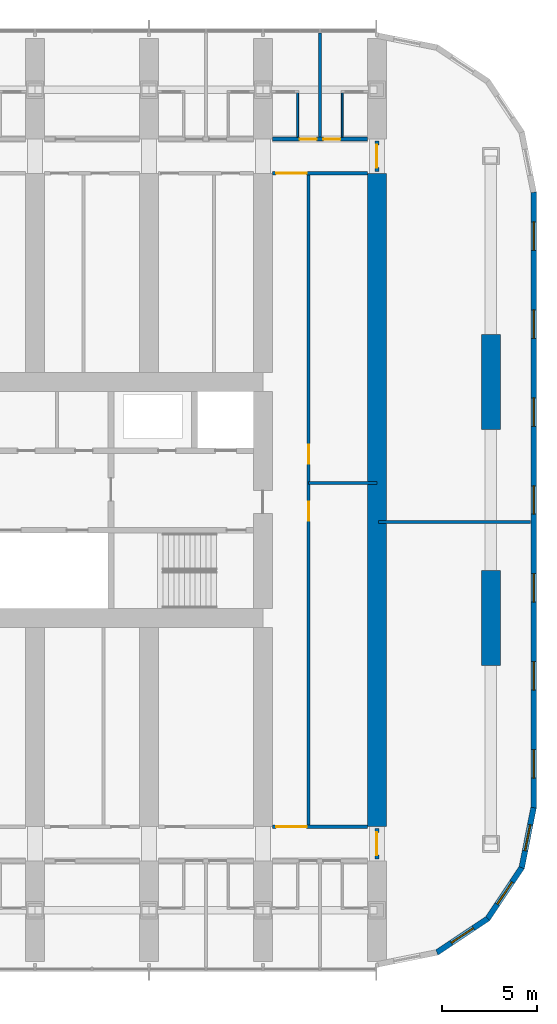
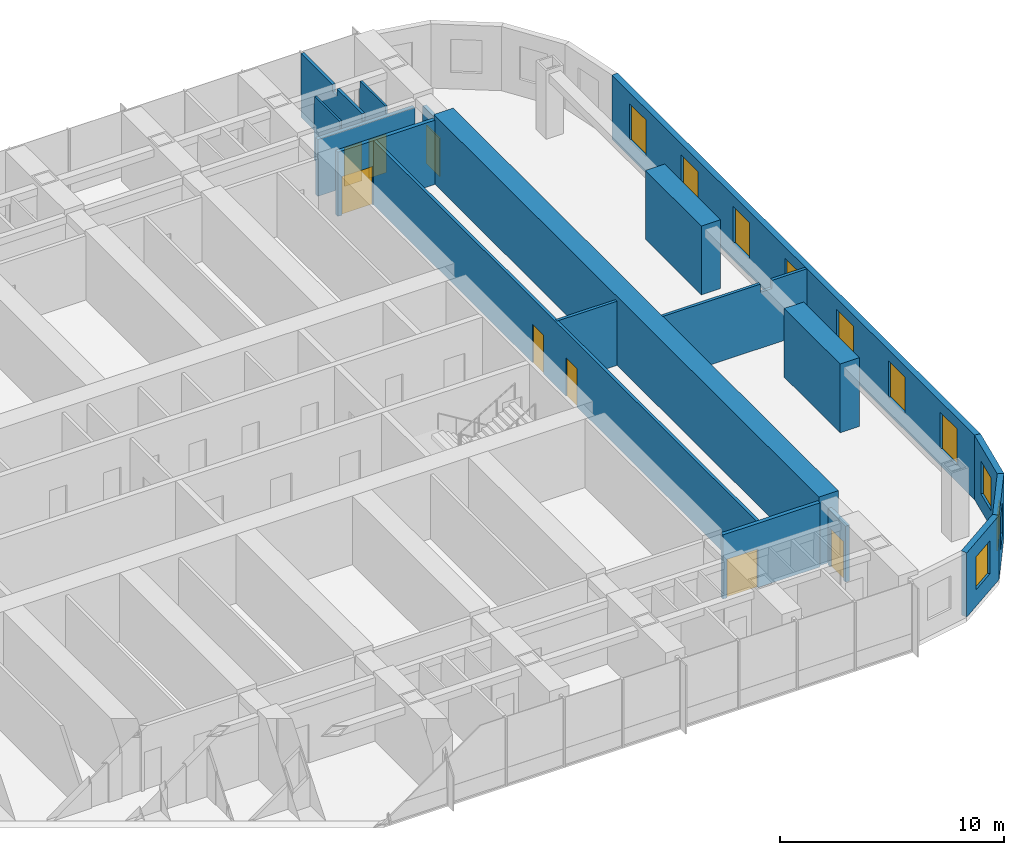
# One storey, part 18 of 24: 18 walls, 10 windows, 8 doors, 18 openings.
"""IFC4 building model written with IfcOpenShell, lengths in metres."""

from ifc_helpers import new_model, si_unit, direction, frame, frame_2d, origin, place, context, subcontext, project, spatial, polyline, rectangle, outline, extrude, material, layer, layer_set, type_object, element, fill, save


model = new_model("IFC4")

# Units and contexts
model_context = context("Model", 3, precision=1e-05, world=origin(), true_north=direction((0.0, 1.0)))
body_context = subcontext(model_context, "Body", "Model", "MODEL_VIEW")
ifc_project = project(units=[si_unit("LENGTHUNIT", "METRE"), si_unit("AREAUNIT", "SQUARE_METRE"), si_unit("VOLUMEUNIT", "CUBIC_METRE"), si_unit("PLANEANGLEUNIT", "RADIAN"), si_unit("MASSUNIT", "GRAM", prefix="KILO")], contexts=[model_context])

# Site, building, storey
site_placement = place(None, origin())
site = spatial("IfcSite", under=ifc_project, at=site_placement, CompositionType="ELEMENT")
building_placement = place(site_placement, origin())
building = spatial("IfcBuilding", under=site, at=building_placement, Name="Orbita Commons", CompositionType="ELEMENT")
storey_placement = place(building_placement, frame((0.0, 0.0, 27.699951171875)))
storey = spatial("IfcBuildingStorey", under=building, at=storey_placement, Name="L06", CompositionType="ELEMENT", Elevation=27.699951171875)

# Wall, openings, doors
ifc_material_1 = material(Name="Concrete blockwork", Category="masonry")
ifc_layer_1 = layer(ifc_material_1, 0.199951171875)
ifc_layer_set_1 = layer_set([ifc_layer_1], Name="Concrete blockwork")
wall_type_1 = type_object("IfcWallType", Name="Corridor wall 200 blockwork", PredefinedType="SOLIDWALL", material=ifc_layer_set_1)
wall_1_placement = place(storey_placement, frame((66.5, 51.0, 0.0), z_axis=(0.0, 0.0, 1.0), x_axis=(1.0, 0.0, 0.0)))
wall_1 = element("IfcWall", 1, at=wall_1_placement, inside=storey, type_object=wall_type_1, Name="Corridor wall 200 blockwork L06", PredefinedType="SOLIDWALL", context=body_context, shape_type="SweptSolid", body=[
    extrude(outline(polyline([(0.0, 0.0), (5.0, 0.0), (5.0, 3.10009765625), (0.0, 3.10009765625), (0.0, 0.0)])), frame((0.0, 0.10009765625, 0.0), z_axis=(0.0, -1.0, 0.0), x_axis=(1.0, 0.0, 0.0)), (0.0, 0.0, 1.0), 0.199951171875),
])
opening_1_placement = place(wall_1_placement, frame((1.425048828125, 0.0, 0.0)))
opening_1 = element("IfcOpeningElement", 2, at=opening_1_placement, cuts=wall_1, Name="Opening D11", PredefinedType="OPENING", context=body_context, shape_type="SweptSolid", body=[
    extrude(rectangle(XDim=0.89990234375, YDim=2.10009765625, at=frame_2d((0.449951171875, 1.050048828125))), frame((0.0, 0.10986328125, 0.0), z_axis=(0.0, -1.0, 0.0), x_axis=(1.0, 0.0, 0.0)), (0.0, 0.0, 1.0), 0.219970703125),
])
opening_2_placement = place(wall_1_placement, frame((2.675048828125, 0.0, 0.0)))
opening_2 = element("IfcOpeningElement", 3, at=opening_2_placement, cuts=wall_1, Name="Opening D11", PredefinedType="OPENING", context=body_context, shape_type="SweptSolid", body=[
    extrude(rectangle(XDim=0.89990234375, YDim=2.10009765625, at=frame_2d((0.449951171875, 1.050048828125))), frame((0.0, 0.10986328125, 0.0), z_axis=(0.0, -1.0, 0.0), x_axis=(1.0, 0.0, 0.0)), (0.0, 0.0, 1.0), 0.219970703125),
])
ifc_material_2 = material(Name="Steel-faced fire door leaf", Category="steel")
door_type_1 = type_object("IfcDoorType", Name="Corridor door 20 min 900x2100", OperationType="SINGLE_SWING_LEFT", PredefinedType="DOOR", material=ifc_material_2)
door_1_placement = place(opening_1_placement, origin())
door_1 = element("IfcDoor", 4, at=door_1_placement, inside=storey, type_object=door_type_1, Name="House bedroom L06-N18 door", OperationType="SINGLE_SWING_LEFT", OverallHeight=2.10009765625, OverallWidth=0.89990234375, PredefinedType="DOOR", context=body_context, shape_type="SweptSolid", body=[
    extrude(rectangle(XDim=0.89990234375, YDim=2.10009765625, at=frame_2d((0.449951171875, 1.050048828125))), frame((0.0, 0.02490234375, 0.0), z_axis=(0.0, -1.0, 0.0), x_axis=(1.0, 0.0, 0.0)), (0.0, 0.0, 1.0), 0.050048828125),
])
fill(opening_1, door_1)
door_2_placement = place(opening_2_placement, origin())
door_2 = element("IfcDoor", 5, at=door_2_placement, inside=storey, type_object=door_type_1, Name="House bedroom L06-N19 door", OperationType="SINGLE_SWING_LEFT", OverallHeight=2.10009765625, OverallWidth=0.89990234375, PredefinedType="DOOR", context=body_context, shape_type="SweptSolid", body=[
    extrude(rectangle(XDim=0.89990234375, YDim=2.10009765625, at=frame_2d((0.449951171875, 1.050048828125))), frame((0.0, 0.02490234375, 0.0), z_axis=(0.0, -1.0, 0.0), x_axis=(1.0, 0.0, 0.0)), (0.0, 0.0, 1.0), 0.050048828125),
])
fill(opening_2, door_2)

# Wall, opening, door
wall_2_placement = place(storey_placement, frame((72.0, 13.10009765625, 0.0), z_axis=(0.0, 0.0, 1.0), x_axis=(0.0, 1.0, 0.0)))
wall_2 = element("IfcWall", 6, at=wall_2_placement, inside=storey, type_object=wall_type_1, Name="Corridor wall 200 blockwork L06", PredefinedType="SOLIDWALL", context=body_context, shape_type="SweptSolid", body=[
    extrude(outline(polyline([(0.0, 0.0), (1.599853515625, 0.0), (1.60009765625, 3.050048828125), (0.0, 3.050048828125), (0.0, 0.0)])), frame((0.0, 0.10009765625, 0.0), z_axis=(0.0, -1.0, 0.0), x_axis=(1.0, 0.0, 0.0)), (0.0, 0.0, 1.0), 0.199951171875),
])
opening_3_placement = place(wall_2_placement, frame((0.199951171875, 0.0, 0.0)))
opening_3 = element("IfcOpeningElement", 7, at=opening_3_placement, cuts=wall_2, Name="Opening D12", PredefinedType="OPENING", context=body_context, shape_type="SweptSolid", body=[
    extrude(rectangle(XDim=1.199951171875, YDim=2.10009765625, at=frame_2d((0.60009765625, 1.050048828125))), frame((0.0, 0.10986328125, 0.0), z_axis=(0.0, -1.0, 0.0), x_axis=(1.0, 0.0, 0.0)), (0.0, 0.0, 1.0), 0.219970703125),
])
ifc_material_3 = material(Name="Steel-faced fire door leaf", Category="steel")
door_type_2 = type_object("IfcDoorType", Name="Double corridor door 20 min 1200x2100", OperationType="DOUBLE_DOOR_SINGLE_SWING", PredefinedType="DOOR", material=ifc_material_3)
door_3_placement = place(opening_3_placement, origin())
door_3 = element("IfcDoor", 8, at=door_3_placement, inside=storey, type_object=door_type_2, Name="Lounge doors", OperationType="DOUBLE_DOOR_SINGLE_SWING", OverallHeight=2.10009765625, OverallWidth=1.199951171875, PredefinedType="DOOR", context=body_context, shape_type="SweptSolid", body=[
    extrude(rectangle(XDim=1.199951171875, YDim=2.10009765625, at=frame_2d((0.60009765625, 1.050048828125))), frame((0.0, 0.02490234375, 0.0), z_axis=(0.0, -1.0, 0.0), x_axis=(1.0, 0.0, 0.0)), (0.0, 0.0, 1.0), 0.050048828125),
])
fill(opening_3, door_3)

wall_3_placement = place(storey_placement, frame((72.0, 49.300048828125, 0.0), z_axis=(0.0, 0.0, 1.0), x_axis=(0.0, 1.0, 0.0)))
wall_3 = element("IfcWall", 9, at=wall_3_placement, inside=storey, type_object=wall_type_1, Name="Corridor wall 200 blockwork L06", PredefinedType="SOLIDWALL", context=body_context, shape_type="SweptSolid", body=[
    extrude(outline(polyline([(0.0, 0.0), (1.599853515625, 0.0), (1.60009765625, 3.050048828125), (0.0, 3.050048828125), (0.0, 0.0)])), frame((0.0, 0.10009765625, 0.0), z_axis=(0.0, -1.0, 0.0), x_axis=(1.0, 0.0, 0.0)), (0.0, 0.0, 1.0), 0.199951171875),
])
opening_4_placement = place(wall_3_placement, frame((0.199951171875, 0.0, 0.0)))
opening_4 = element("IfcOpeningElement", 10, at=opening_4_placement, cuts=wall_3, Name="Opening D12", PredefinedType="OPENING", context=body_context, shape_type="SweptSolid", body=[
    extrude(rectangle(XDim=1.199951171875, YDim=2.10009765625, at=frame_2d((0.60009765625, 1.050048828125))), frame((0.0, 0.10986328125, 0.0), z_axis=(0.0, -1.0, 0.0), x_axis=(1.0, 0.0, 0.0)), (0.0, 0.0, 1.0), 0.219970703125),
])
door_4_placement = place(opening_4_placement, origin())
door_4 = element("IfcDoor", 11, at=door_4_placement, inside=storey, type_object=door_type_2, Name="Lounge doors", OperationType="DOUBLE_DOOR_SINGLE_SWING", OverallHeight=2.10009765625, OverallWidth=1.199951171875, PredefinedType="DOOR", context=body_context, shape_type="SweptSolid", body=[
    extrude(rectangle(XDim=1.199951171875, YDim=2.10009765625, at=frame_2d((0.60009765625, 1.050048828125))), frame((0.0, 0.02490234375, 0.0), z_axis=(0.0, -1.0, 0.0), x_axis=(1.0, 0.0, 0.0)), (0.0, 0.0, 1.0), 0.050048828125),
])
fill(opening_4, door_4)

ifc_material_4 = material(Name="Hollow concrete block 200", Category="concrete")
ifc_layer_2 = layer(ifc_material_4, 0.199951171875)
ifc_layer_set_2 = layer_set([ifc_layer_2], Name="Hollow concrete block 200")
wall_type_2 = type_object("IfcWallType", Name="Corridor wall 200 hollow concrete block", PredefinedType="SOLIDWALL", material=ifc_layer_set_2)
wall_4_placement = place(storey_placement, frame((66.5, 14.800048828125, 0.0), z_axis=(0.0, 0.0, 1.0), x_axis=(1.0, 0.0, 0.0)))
wall_4 = element("IfcWall", 12, at=wall_4_placement, inside=storey, type_object=wall_type_2, Name="Corridor wall 200 hollow concrete block L06", PredefinedType="SOLIDWALL", context=body_context, shape_type="SweptSolid", body=[
    extrude(rectangle(XDim=5.0, YDim=0.199951171875, at=frame_2d((2.5, 0.0))), origin(), (0.0, 0.0, 1.0), 3.5),
])
opening_5_placement = place(wall_4_placement, frame((0.199951171875, 0.0, 0.0)))
opening_5 = element("IfcOpeningElement", 13, at=opening_5_placement, cuts=wall_4, Name="Opening D10", PredefinedType="OPENING", context=body_context, shape_type="SweptSolid", body=[
    extrude(rectangle(XDim=1.60009765625, YDim=2.10009765625, at=frame_2d((0.800048828125, 1.050048828125))), frame((0.0, 0.10986328125, 0.0), z_axis=(0.0, -1.0, 0.0), x_axis=(1.0, 0.0, 0.0)), (0.0, 0.0, 1.0), 0.219970703125),
])
ifc_material_5 = material(Name="Steel-faced fire door leaf", Category="steel")
door_type_3 = type_object("IfcDoorType", Name="Double corridor door 20 min 1600x2100", OperationType="DOUBLE_DOOR_SINGLE_SWING", PredefinedType="DOOR", material=ifc_material_5)
door_5_placement = place(opening_5_placement, origin())
door_5 = element("IfcDoor", 14, at=door_5_placement, inside=storey, type_object=door_type_3, Name="Cross corridor doors", OperationType="DOUBLE_DOOR_SINGLE_SWING", OverallHeight=2.10009765625, OverallWidth=1.60009765625, PredefinedType="DOOR", context=body_context, shape_type="SweptSolid", body=[
    extrude(rectangle(XDim=1.60009765625, YDim=2.10009765625, at=frame_2d((0.800048828125, 1.050048828125))), frame((0.0, 0.02490234375, 0.0), z_axis=(0.0, -1.0, 0.0), x_axis=(1.0, 0.0, 0.0)), (0.0, 0.0, 1.0), 0.050048828125),
])
fill(opening_5, door_5)

wall_5_placement = place(storey_placement, frame((66.5, 49.199951171875, 0.0), z_axis=(0.0, 0.0, 1.0), x_axis=(1.0, 0.0, 0.0)))
wall_5 = element("IfcWall", 15, at=wall_5_placement, inside=storey, type_object=wall_type_2, Name="Corridor wall 200 hollow concrete block L06", PredefinedType="SOLIDWALL", context=body_context, shape_type="SweptSolid", body=[
    extrude(rectangle(XDim=5.0, YDim=0.199951171875, at=frame_2d((2.5, 0.0))), origin(), (0.0, 0.0, 1.0), 3.5),
])
opening_6_placement = place(wall_5_placement, frame((0.199951171875, 0.0, 0.0)))
opening_6 = element("IfcOpeningElement", 16, at=opening_6_placement, cuts=wall_5, Name="Opening D10", PredefinedType="OPENING", context=body_context, shape_type="SweptSolid", body=[
    extrude(rectangle(XDim=1.60009765625, YDim=2.10009765625, at=frame_2d((0.800048828125, 1.050048828125))), frame((0.0, 0.10986328125, 0.0), z_axis=(0.0, -1.0, 0.0), x_axis=(1.0, 0.0, 0.0)), (0.0, 0.0, 1.0), 0.219970703125),
])
door_6_placement = place(opening_6_placement, origin())
door_6 = element("IfcDoor", 17, at=door_6_placement, inside=storey, type_object=door_type_3, Name="Cross corridor doors", OperationType="DOUBLE_DOOR_SINGLE_SWING", OverallHeight=2.10009765625, OverallWidth=1.60009765625, PredefinedType="DOOR", context=body_context, shape_type="SweptSolid", body=[
    extrude(rectangle(XDim=1.60009765625, YDim=2.10009765625, at=frame_2d((0.800048828125, 1.050048828125))), frame((0.0, 0.02490234375, 0.0), z_axis=(0.0, -1.0, 0.0), x_axis=(1.0, 0.0, 0.0)), (0.0, 0.0, 1.0), 0.050048828125),
])
fill(opening_6, door_6)

# Walls
ifc_material_6 = material(Name="Concrete C50/60", Category="concrete")
ifc_layer_3 = layer(ifc_material_6, 1.0)
ifc_layer_set_3 = layer_set([ifc_layer_3], Name="Concrete C50/60")
wall_type_3 = type_object("IfcWallType", Name="Cross wall 1000 C50/60", PredefinedType="SHEAR", material=ifc_layer_set_3)
wall_6_placement = place(storey_placement, frame((72.0, 14.800048828125, 0.0), z_axis=(0.0, 0.0, 1.0), x_axis=(0.0, 1.0, 0.0)))
element("IfcWall", 18, at=wall_6_placement, inside=storey, type_object=wall_type_3, Name="Cross wall 13 inner L06", PredefinedType="SHEAR", context=body_context, shape_type="SweptSolid", body=[
    extrude(rectangle(XDim=34.39990234375, YDim=1.0, at=frame_2d((17.199951171875, 0.0))), origin(), (0.0, 0.0, 1.0), 3.75),
])
ifc_material_7 = material(Name="Moisture-resistant plasterboard on steel studs", Category="steel")
ifc_layer_4 = layer(ifc_material_7, 0.10009765625)
ifc_layer_set_4 = layer_set([ifc_layer_4], Name="Moisture-resistant plasterboard on steel studs")
wall_type_4 = type_object("IfcWallType", Name="En-suite partition 100", PredefinedType="PARTITIONING", material=ifc_layer_set_4)
for number, where, z_axis, x_axis, name in (
    (19, (67.824951171875, 53.449951171875, 0.0), (0.0, 0.0, 1.0), (0.0, -1.0, 0.0), "En-suite partition 100 L06"),
    (20, (70.175048828125, 53.449951171875, 0.0), (0.0, 0.0, 1.0), (0.0, -1.0, 0.0), "En-suite partition 100 L06"),
):
    element("IfcWall", number, at=place(storey_placement, frame(where, z_axis=z_axis, x_axis=x_axis)), inside=storey, type_object=wall_type_4, Name=name, PredefinedType="PARTITIONING", context=body_context, shape_type="SweptSolid", body=[
        extrude(outline(polyline([(0.0, 0.0), (2.349853515625, 0.0), (2.35009765625, 3.10009765625), (2.302001953125, 3.10009765625), (2.300048828125, 3.5), (0.052001953125, 3.5), (0.050048828125, 3.10009765625), (0.0, 3.10009765625), (0.0, 0.0)])), frame((0.0, 0.050048828125, 0.0), z_axis=(0.0, -1.0, 0.0), x_axis=(1.0, 0.0, 0.0)), (0.0, 0.0, 1.0), 0.10009765625),
    ])
ifc_material_8 = material(Name="Concrete C50/60", Category="concrete")
ifc_layer_5 = layer(ifc_material_8, 1.0)
ifc_layer_set_5 = layer_set([ifc_layer_5], Name="Concrete C50/60")
wall_type_5 = type_object("IfcWallType", Name="End pier 1000x5000 C50/60", PredefinedType="SHEAR", material=ifc_layer_set_5)
for number, where, z_axis, x_axis, name in (
    (21, (78.0, 23.300048828125, 0.0), (0.0, 0.0, 1.0), (0.0, 1.0, 0.0), "End pier 14/C L06"),
    (22, (78.0, 35.699951171875, 0.0), (0.0, 0.0, 1.0), (0.0, 1.0, 0.0), "End pier 14/D L06"),
):
    element("IfcWall", number, at=place(storey_placement, frame(where, z_axis=z_axis, x_axis=x_axis)), inside=storey, type_object=wall_type_5, Name=name, PredefinedType="SHEAR", context=body_context, shape_type="SweptSolid", body=[
        extrude(rectangle(XDim=5.0, YDim=1.0, at=frame_2d((2.5, 0.0))), origin(), (0.0, 0.0, 1.0), 3.75),
    ])

# Wall, openings, doors
ifc_material_9 = material(Name="Gypsum plasterboard on steel studs", Category="steel")
ifc_layer_6 = layer(ifc_material_9, 0.14990234375)
ifc_layer_set_6 = layer_set([ifc_layer_6], Name="Gypsum plasterboard on steel studs")
wall_type_6 = type_object("IfcWallType", Name="Partition 150 plasterboard", PredefinedType="PARTITIONING", material=ifc_layer_set_6)
wall_7_placement = place(storey_placement, frame((68.39990234375, 14.89990234375, 0.0), z_axis=(0.0, 0.0, 1.0), x_axis=(0.0, 1.0, 0.0)))
wall_7 = element("IfcWall", 23, at=wall_7_placement, inside=storey, type_object=wall_type_6, Name="Partition 150 plasterboard L06", PredefinedType="PARTITIONING", context=body_context, shape_type="SweptSolid", body=[
    extrude(rectangle(XDim=34.2001953125, YDim=0.14990234375, at=frame_2d((17.10009765625, 0.0))), origin(), (0.0, 0.0, 1.0), 3.5),
])
opening_7_placement = place(wall_7_placement, frame((16.0, 0.0, 0.0)))
opening_7 = element("IfcOpeningElement", 24, at=opening_7_placement, cuts=wall_7, Name="Opening D06", PredefinedType="OPENING", context=body_context, shape_type="SweptSolid", body=[
    extrude(rectangle(XDim=1.0, YDim=2.10009765625, at=frame_2d((0.5, 1.050048828125))), frame((0.0, 0.0849609375, 0.0), z_axis=(0.0, -1.0, 0.0), x_axis=(1.0, 0.0, 0.0)), (0.0, 0.0, 1.0), 0.169921875),
])
opening_8_placement = place(wall_7_placement, frame((19.0, 0.0, 0.0)))
opening_8 = element("IfcOpeningElement", 25, at=opening_8_placement, cuts=wall_7, Name="Opening D06", PredefinedType="OPENING", context=body_context, shape_type="SweptSolid", body=[
    extrude(rectangle(XDim=1.0, YDim=2.10009765625, at=frame_2d((0.5, 1.050048828125))), frame((0.0, 0.0849609375, 0.0), z_axis=(0.0, -1.0, 0.0), x_axis=(1.0, 0.0, 0.0)), (0.0, 0.0, 1.0), 0.169921875),
])
ifc_material_10 = material(Name="Steel-faced fire door leaf", Category="steel")
door_type_4 = type_object("IfcDoorType", Name="Corridor door 20 min 1000x2100", OperationType="SINGLE_SWING_LEFT", PredefinedType="DOOR", material=ifc_material_10)
door_7_placement = place(opening_7_placement, origin())
door_7 = element("IfcDoor", 26, at=door_7_placement, inside=storey, type_object=door_type_4, Name="Prayer room door", OperationType="SINGLE_SWING_LEFT", OverallHeight=2.10009765625, OverallWidth=1.0, PredefinedType="DOOR", context=body_context, shape_type="SweptSolid", body=[
    extrude(rectangle(XDim=1.0, YDim=2.10009765625, at=frame_2d((0.5, 1.050048828125))), frame((0.0, 0.02490234375, 0.0), z_axis=(0.0, -1.0, 0.0), x_axis=(1.0, 0.0, 0.0)), (0.0, 0.0, 1.0), 0.050048828125),
])
fill(opening_7, door_7)
door_8_placement = place(opening_8_placement, origin())
door_8 = element("IfcDoor", 27, at=door_8_placement, inside=storey, type_object=door_type_4, Name="Quiet room en door", OperationType="SINGLE_SWING_LEFT", OverallHeight=2.10009765625, OverallWidth=1.0, PredefinedType="DOOR", context=body_context, shape_type="SweptSolid", body=[
    extrude(rectangle(XDim=1.0, YDim=2.10009765625, at=frame_2d((0.5, 1.050048828125))), frame((0.0, 0.02490234375, 0.0), z_axis=(0.0, -1.0, 0.0), x_axis=(1.0, 0.0, 0.0)), (0.0, 0.0, 1.0), 0.050048828125),
])
fill(opening_8, door_8)

# Walls
wall_8_placement = place(storey_placement, frame((68.39990234375, 32.89990234375, 0.0), z_axis=(0.0, 0.0, 1.0), x_axis=(1.0, 0.0, 0.0)))
element("IfcWall", 28, at=wall_8_placement, inside=storey, type_object=wall_type_6, Name="Partition 150 plasterboard L06", PredefinedType="PARTITIONING", context=body_context, shape_type="SweptSolid", body=[
    extrude(rectangle(XDim=3.60009765625, YDim=0.14990234375, at=frame_2d((1.800048828125, 0.0))), origin(), (0.0, 0.0, 1.0), 3.5),
])
wall_9_placement = place(storey_placement, frame((72.074951171875, 30.85009765625, 0.0), z_axis=(0.0, 0.0, 1.0), x_axis=(1.0, 0.0, 0.0)))
element("IfcWall", 29, at=wall_9_placement, inside=storey, type_object=wall_type_6, Name="Partition 150 plasterboard L06", PredefinedType="PARTITIONING", context=body_context, shape_type="SweptSolid", body=[
    extrude(outline(polyline([(0.0, 0.0), (8.02001953125, 0.0), (8.02001953125, 3.5), (6.22705078125, 3.5), (6.22509765625, 3.050048828125), (5.626953125, 3.050048828125), (5.625, 3.5), (0.0, 3.5), (0.0, 0.0)])), frame((0.0, 0.074951171875, 0.0), z_axis=(0.0, -1.0, 0.0), x_axis=(1.0, 0.0, 0.0)), (0.0, 0.0, 1.0), 0.14990234375),
])
ifc_material_11 = material(Name="Gypsum plasterboard on steel studs", Category="steel")
ifc_layer_7 = layer(ifc_material_11, 0.14990234375)
ifc_layer_set_7 = layer_set([ifc_layer_7], Name="Gypsum plasterboard on steel studs")
wall_type_7 = type_object("IfcWallType", Name="Party wall 150 plasterboard", PredefinedType="PARTITIONING", material=ifc_layer_set_7)
wall_10_placement = place(storey_placement, frame((69.0, 56.590087890625, 0.0), z_axis=(0.0, 0.0, 1.0), x_axis=(0.0, -1.0, 0.0)))
element("IfcWall", 30, at=wall_10_placement, inside=storey, type_object=wall_type_7, Name="Party wall 150 plasterboard L06", PredefinedType="PARTITIONING", context=body_context, shape_type="SweptSolid", body=[
    extrude(outline(polyline([(0.0, 0.0), (5.489990234375, 0.0), (5.489990234375, 3.10009765625), (5.44189453125, 3.10009765625), (5.43994140625, 3.5), (3.19189453125, 3.5), (3.18994140625, 3.10009765625), (2.7919921875, 3.10009765625), (2.7900390625, 3.5), (0.0, 3.5), (0.0, 0.0)])), frame((0.0, 0.074951171875, 0.0), z_axis=(0.0, -1.0, 0.0), x_axis=(1.0, 0.0, 0.0)), (0.0, 0.0, 1.0), 0.14990234375),
])

# Wall, openings, windows
ifc_material_12 = material(Name="Precast concrete C40/50, white board-marked finish", Category="concrete")
ifc_layer_8 = layer(ifc_material_12, 0.300048828125)
ifc_layer_set_8 = layer_set([ifc_layer_8], Name="Precast concrete C40/50, white board-marked finish")
wall_type_8 = type_object("IfcWallType", Name="Precast concrete end shield 300", PredefinedType="SOLIDWALL", material=ifc_layer_set_8)
wall_11_placement = place(storey_placement, frame((80.25, 15.800048828125, 0.0), z_axis=(0.0, 0.0, 1.0), x_axis=(0.0, 1.0, 0.0)))
wall_11 = element("IfcWall", 31, at=wall_11_placement, inside=storey, type_object=wall_type_8, Name="End shield E L06", PredefinedType="SOLIDWALL", context=body_context, shape_type="SweptSolid", body=[
    extrude(outline(polyline([(-0.014892578125, -0.14990234375), (32.414794921875, -0.14990234375), (32.385009765625, 0.14990234375), (0.014892578125, 0.14990234375), (-0.014892578125, -0.14990234375)])), origin(), (0.0, 0.0, 1.0), 3.5),
])
opening_9_placement = place(wall_11_placement, frame((1.564208984375, 0.0, 0.89990234375)))
opening_9 = element("IfcOpeningElement", 32, at=opening_9_placement, cuts=wall_11, Name="Opening W01", PredefinedType="OPENING", context=body_context, shape_type="SweptSolid", body=[
    extrude(rectangle(XDim=1.5, YDim=2.0, at=frame_2d((0.75, 1.0))), frame((0.0, 0.159912109375, 0.0), z_axis=(0.0, -1.0, 0.0), x_axis=(1.0, 0.0, 0.0)), (0.0, 0.0, 1.0), 0.320068359375),
])
opening_10_placement = place(wall_11_placement, frame((6.19287109375, 0.0, 0.89990234375)))
opening_10 = element("IfcOpeningElement", 33, at=opening_10_placement, cuts=wall_11, Name="Opening W01", PredefinedType="OPENING", context=body_context, shape_type="SweptSolid", body=[
    extrude(rectangle(XDim=1.5, YDim=2.0, at=frame_2d((0.75, 1.0))), frame((0.0, 0.159912109375, 0.0), z_axis=(0.0, -1.0, 0.0), x_axis=(1.0, 0.0, 0.0)), (0.0, 0.0, 1.0), 0.320068359375),
])
opening_11_placement = place(wall_11_placement, frame((10.821533203125, 0.0, 0.89990234375)))
opening_11 = element("IfcOpeningElement", 34, at=opening_11_placement, cuts=wall_11, Name="Opening W01", PredefinedType="OPENING", context=body_context, shape_type="SweptSolid", body=[
    extrude(rectangle(XDim=1.5, YDim=2.0, at=frame_2d((0.75, 1.0))), frame((0.0, 0.159912109375, 0.0), z_axis=(0.0, -1.0, 0.0), x_axis=(1.0, 0.0, 0.0)), (0.0, 0.0, 1.0), 0.320068359375),
])
opening_12_placement = place(wall_11_placement, frame((15.449951171875, 0.0, 0.89990234375)))
opening_12 = element("IfcOpeningElement", 35, at=opening_12_placement, cuts=wall_11, Name="Opening W01", PredefinedType="OPENING", context=body_context, shape_type="SweptSolid", body=[
    extrude(rectangle(XDim=1.5, YDim=2.0, at=frame_2d((0.75, 1.0))), frame((0.0, 0.159912109375, 0.0), z_axis=(0.0, -1.0, 0.0), x_axis=(1.0, 0.0, 0.0)), (0.0, 0.0, 1.0), 0.320068359375),
])
opening_13_placement = place(wall_11_placement, frame((20.07861328125, 0.0, 0.89990234375)))
opening_13 = element("IfcOpeningElement", 36, at=opening_13_placement, cuts=wall_11, Name="Opening W01", PredefinedType="OPENING", context=body_context, shape_type="SweptSolid", body=[
    extrude(rectangle(XDim=1.5, YDim=2.0, at=frame_2d((0.75, 1.0))), frame((0.0, 0.159912109375, 0.0), z_axis=(0.0, -1.0, 0.0), x_axis=(1.0, 0.0, 0.0)), (0.0, 0.0, 1.0), 0.320068359375),
])
opening_14_placement = place(wall_11_placement, frame((24.70703125, 0.0, 0.89990234375)))
opening_14 = element("IfcOpeningElement", 37, at=opening_14_placement, cuts=wall_11, Name="Opening W01", PredefinedType="OPENING", context=body_context, shape_type="SweptSolid", body=[
    extrude(rectangle(XDim=1.5, YDim=2.0, at=frame_2d((0.75, 1.0))), frame((0.0, 0.159912109375, 0.0), z_axis=(0.0, -1.0, 0.0), x_axis=(1.0, 0.0, 0.0)), (0.0, 0.0, 1.0), 0.320068359375),
])
opening_15_placement = place(wall_11_placement, frame((29.335693359375, 0.0, 0.89990234375)))
opening_15 = element("IfcOpeningElement", 38, at=opening_15_placement, cuts=wall_11, Name="Opening W01", PredefinedType="OPENING", context=body_context, shape_type="SweptSolid", body=[
    extrude(rectangle(XDim=1.5, YDim=2.0, at=frame_2d((0.75, 1.0))), frame((0.0, 0.159912109375, 0.0), z_axis=(0.0, -1.0, 0.0), x_axis=(1.0, 0.0, 0.0)), (0.0, 0.0, 1.0), 0.320068359375),
])
ifc_material_13 = material(Name="Aluminium frame, clear double glazing", Category="aluminium")
window_type_1 = type_object("IfcWindowType", Name="Deep-set window 1500x2000", PartitioningType="SINGLE_PANEL", PredefinedType="WINDOW", material=ifc_material_13)
window_1_placement = place(opening_9_placement, origin())
window_1 = element("IfcWindow", 39, at=window_1_placement, inside=storey, type_object=window_type_1, Name="Window L06-E 1", OverallHeight=2.0, OverallWidth=1.5, PartitioningType="SINGLE_PANEL", PredefinedType="WINDOW", context=body_context, shape_type="SweptSolid", body=[
    extrude(rectangle(XDim=1.5, YDim=2.0, at=frame_2d((0.75, 1.0))), frame((0.0, 0.030029296875, 0.0), z_axis=(0.0, -1.0, 0.0), x_axis=(1.0, 0.0, 0.0)), (0.0, 0.0, 1.0), 0.06005859375),
])
fill(opening_9, window_1)
window_2_placement = place(opening_10_placement, origin())
window_2 = element("IfcWindow", 40, at=window_2_placement, inside=storey, type_object=window_type_1, Name="Window L06-E 2", OverallHeight=2.0, OverallWidth=1.5, PartitioningType="SINGLE_PANEL", PredefinedType="WINDOW", context=body_context, shape_type="SweptSolid", body=[
    extrude(rectangle(XDim=1.5, YDim=2.0, at=frame_2d((0.75, 1.0))), frame((0.0, 0.030029296875, 0.0), z_axis=(0.0, -1.0, 0.0), x_axis=(1.0, 0.0, 0.0)), (0.0, 0.0, 1.0), 0.06005859375),
])
fill(opening_10, window_2)
window_3_placement = place(opening_11_placement, origin())
window_3 = element("IfcWindow", 41, at=window_3_placement, inside=storey, type_object=window_type_1, Name="Window L06-E 3", OverallHeight=2.0, OverallWidth=1.5, PartitioningType="SINGLE_PANEL", PredefinedType="WINDOW", context=body_context, shape_type="SweptSolid", body=[
    extrude(rectangle(XDim=1.5, YDim=2.0, at=frame_2d((0.75, 1.0))), frame((0.0, 0.030029296875, 0.0), z_axis=(0.0, -1.0, 0.0), x_axis=(1.0, 0.0, 0.0)), (0.0, 0.0, 1.0), 0.06005859375),
])
fill(opening_11, window_3)
window_4_placement = place(opening_12_placement, origin())
window_4 = element("IfcWindow", 42, at=window_4_placement, inside=storey, type_object=window_type_1, Name="Window L06-E 4", OverallHeight=2.0, OverallWidth=1.5, PartitioningType="SINGLE_PANEL", PredefinedType="WINDOW", context=body_context, shape_type="SweptSolid", body=[
    extrude(rectangle(XDim=1.5, YDim=2.0, at=frame_2d((0.75, 1.0))), frame((0.0, 0.030029296875, 0.0), z_axis=(0.0, -1.0, 0.0), x_axis=(1.0, 0.0, 0.0)), (0.0, 0.0, 1.0), 0.06005859375),
])
fill(opening_12, window_4)
window_5_placement = place(opening_13_placement, origin())
window_5 = element("IfcWindow", 43, at=window_5_placement, inside=storey, type_object=window_type_1, Name="Window L06-E 5", OverallHeight=2.0, OverallWidth=1.5, PartitioningType="SINGLE_PANEL", PredefinedType="WINDOW", context=body_context, shape_type="SweptSolid", body=[
    extrude(rectangle(XDim=1.5, YDim=2.0, at=frame_2d((0.75, 1.0))), frame((0.0, 0.030029296875, 0.0), z_axis=(0.0, -1.0, 0.0), x_axis=(1.0, 0.0, 0.0)), (0.0, 0.0, 1.0), 0.06005859375),
])
fill(opening_13, window_5)
window_6_placement = place(opening_14_placement, origin())
window_6 = element("IfcWindow", 44, at=window_6_placement, inside=storey, type_object=window_type_1, Name="Window L06-E 6", OverallHeight=2.0, OverallWidth=1.5, PartitioningType="SINGLE_PANEL", PredefinedType="WINDOW", context=body_context, shape_type="SweptSolid", body=[
    extrude(rectangle(XDim=1.5, YDim=2.0, at=frame_2d((0.75, 1.0))), frame((0.0, 0.030029296875, 0.0), z_axis=(0.0, -1.0, 0.0), x_axis=(1.0, 0.0, 0.0)), (0.0, 0.0, 1.0), 0.06005859375),
])
fill(opening_14, window_6)
window_7_placement = place(opening_15_placement, origin())
window_7 = element("IfcWindow", 45, at=window_7_placement, inside=storey, type_object=window_type_1, Name="Window L06-E 7", OverallHeight=2.0, OverallWidth=1.5, PartitioningType="SINGLE_PANEL", PredefinedType="WINDOW", context=body_context, shape_type="SweptSolid", body=[
    extrude(rectangle(XDim=1.5, YDim=2.0, at=frame_2d((0.75, 1.0))), frame((0.0, 0.030029296875, 0.0), z_axis=(0.0, -1.0, 0.0), x_axis=(1.0, 0.0, 0.0)), (0.0, 0.0, 1.0), 0.06005859375),
])
fill(opening_15, window_7)

# Wall, opening, window
wall_12_placement = place(storey_placement, frame((75.156982421875, 8.177978515625, 0.0), z_axis=(0.0, 0.0, 1.0), x_axis=(0.831478105043, 0.555557522525, 0.0)))
wall_12 = element("IfcWall", 46, at=wall_12_placement, inside=storey, type_object=wall_type_8, Name="End shield SE chord 2 L06", PredefinedType="SOLIDWALL", context=body_context, shape_type="SweptSolid", body=[
    extrude(outline(polyline([(-0.02978515625, -0.14990234375), (3.248779296875, -0.14990234375), (3.189208984375, 0.14990234375), (0.02978515625, 0.14990234375), (-0.02978515625, -0.14990234375)])), origin(), (0.0, 0.0, 1.0), 3.5),
])
opening_16_placement = place(wall_12_placement, frame((0.909423828125, 0.0, 0.89990234375)))
opening_16 = element("IfcOpeningElement", 47, at=opening_16_placement, cuts=wall_12, Name="Opening W02", PredefinedType="OPENING", context=body_context, shape_type="SweptSolid", body=[
    extrude(rectangle(XDim=1.39990234375, YDim=1.800048828125, at=frame_2d((0.699951171875, 0.89990234375))), frame((0.0, 0.159912109375, 0.0), z_axis=(0.0, -1.0, 0.0), x_axis=(1.0, 0.0, 0.0)), (0.0, 0.0, 1.0), 0.320068359375),
])
ifc_material_14 = material(Name="Aluminium frame, clear double glazing", Category="aluminium")
window_type_2 = type_object("IfcWindowType", Name="Deep-set window 1400x1800", PartitioningType="SINGLE_PANEL", PredefinedType="WINDOW", material=ifc_material_14)
window_8_placement = place(opening_16_placement, origin())
window_8 = element("IfcWindow", 48, at=window_8_placement, inside=storey, type_object=window_type_2, Name="Window L06-SE1", OverallHeight=1.800048828125, OverallWidth=1.39990234375, PartitioningType="SINGLE_PANEL", PredefinedType="WINDOW", context=body_context, shape_type="SweptSolid", body=[
    extrude(rectangle(XDim=1.39990234375, YDim=1.800048828125, at=frame_2d((0.699951171875, 0.89990234375))), frame((0.0, 0.030029296875, 0.0), z_axis=(0.0, -1.0, 0.0), x_axis=(1.0, 0.0, 0.0)), (0.0, 0.0, 1.0), 0.06005859375),
])
fill(opening_16, window_8)

wall_13_placement = place(storey_placement, frame((77.83349609375, 9.96630859375, 0.0), z_axis=(0.0, 0.0, 1.0), x_axis=(0.555609954424, 0.831443069936, 0.0)))
wall_13 = element("IfcWall", 49, at=wall_13_placement, inside=storey, type_object=wall_type_8, Name="End shield SE chord 3 L06", PredefinedType="SOLIDWALL", context=body_context, shape_type="SweptSolid", body=[
    extrude(outline(polyline([(-0.02978515625, -0.14990234375), (3.2490234375, -0.14990234375), (3.189453125, 0.14990234375), (0.02978515625, 0.14990234375), (-0.02978515625, -0.14990234375)])), origin(), (0.0, 0.0, 1.0), 3.5),
])
opening_17_placement = place(wall_13_placement, frame((0.909423828125, 0.0, 0.89990234375)))
opening_17 = element("IfcOpeningElement", 50, at=opening_17_placement, cuts=wall_13, Name="Opening W02", PredefinedType="OPENING", context=body_context, shape_type="SweptSolid", body=[
    extrude(rectangle(XDim=1.39990234375, YDim=1.800048828125, at=frame_2d((0.699951171875, 0.89990234375))), frame((0.0, 0.159912109375, 0.0), z_axis=(0.0, -1.0, 0.0), x_axis=(1.0, 0.0, 0.0)), (0.0, 0.0, 1.0), 0.320068359375),
])
window_9_placement = place(opening_17_placement, origin())
window_9 = element("IfcWindow", 51, at=window_9_placement, inside=storey, type_object=window_type_2, Name="Window L06-SE2", OverallHeight=1.800048828125, OverallWidth=1.39990234375, PartitioningType="SINGLE_PANEL", PredefinedType="WINDOW", context=body_context, shape_type="SweptSolid", body=[
    extrude(rectangle(XDim=1.39990234375, YDim=1.800048828125, at=frame_2d((0.699951171875, 0.89990234375))), frame((0.0, 0.030029296875, 0.0), z_axis=(0.0, -1.0, 0.0), x_axis=(1.0, 0.0, 0.0)), (0.0, 0.0, 1.0), 0.06005859375),
])
fill(opening_17, window_9)

wall_14_placement = place(storey_placement, frame((79.6220703125, 12.642822265625, 0.0), z_axis=(0.0, 0.0, 1.0), x_axis=(0.195065901187, 0.980790137692, 0.0)))
wall_14 = element("IfcWall", 52, at=wall_14_placement, inside=storey, type_object=wall_type_8, Name="End shield SE chord 4 L06", PredefinedType="SOLIDWALL", context=body_context, shape_type="SweptSolid", body=[
    extrude(outline(polyline([(-0.02978515625, -0.14990234375), (3.23388671875, -0.14990234375), (3.2041015625, 0.14990234375), (0.02978515625, 0.14990234375), (-0.02978515625, -0.14990234375)])), origin(), (0.0, 0.0, 1.0), 3.5),
])
opening_18_placement = place(wall_14_placement, frame((0.909423828125, 0.0, 0.89990234375)))
opening_18 = element("IfcOpeningElement", 53, at=opening_18_placement, cuts=wall_14, Name="Opening W02", PredefinedType="OPENING", context=body_context, shape_type="SweptSolid", body=[
    extrude(rectangle(XDim=1.39990234375, YDim=1.800048828125, at=frame_2d((0.699951171875, 0.89990234375))), frame((0.0, 0.159912109375, 0.0), z_axis=(0.0, -1.0, 0.0), x_axis=(1.0, 0.0, 0.0)), (0.0, 0.0, 1.0), 0.320068359375),
])
window_10_placement = place(opening_18_placement, origin())
window_10 = element("IfcWindow", 54, at=window_10_placement, inside=storey, type_object=window_type_2, Name="Window L06-SE3", OverallHeight=1.800048828125, OverallWidth=1.39990234375, PartitioningType="SINGLE_PANEL", PredefinedType="WINDOW", context=body_context, shape_type="SweptSolid", body=[
    extrude(rectangle(XDim=1.39990234375, YDim=1.800048828125, at=frame_2d((0.699951171875, 0.89990234375))), frame((0.0, 0.030029296875, 0.0), z_axis=(0.0, -1.0, 0.0), x_axis=(1.0, 0.0, 0.0)), (0.0, 0.0, 1.0), 0.06005859375),
])
fill(opening_18, window_10)

save(model, "model.ifc")
